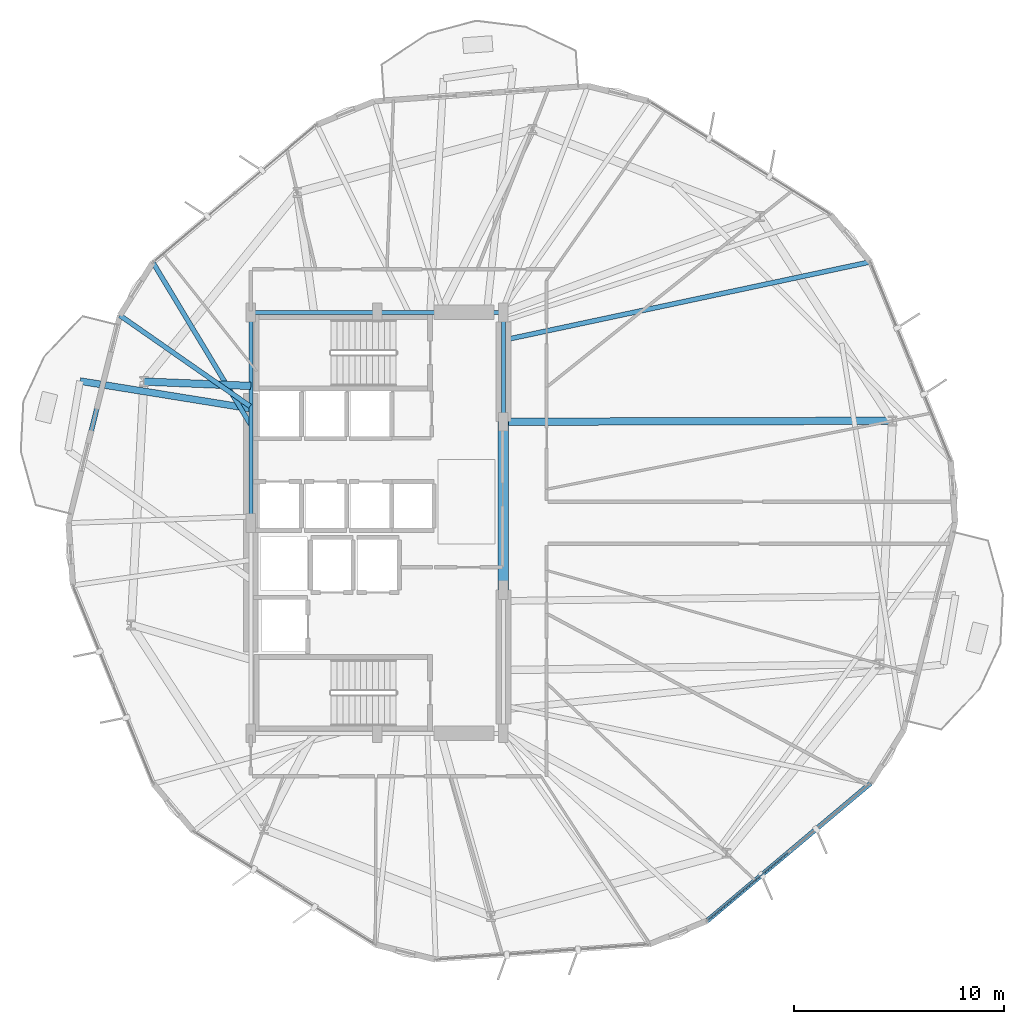
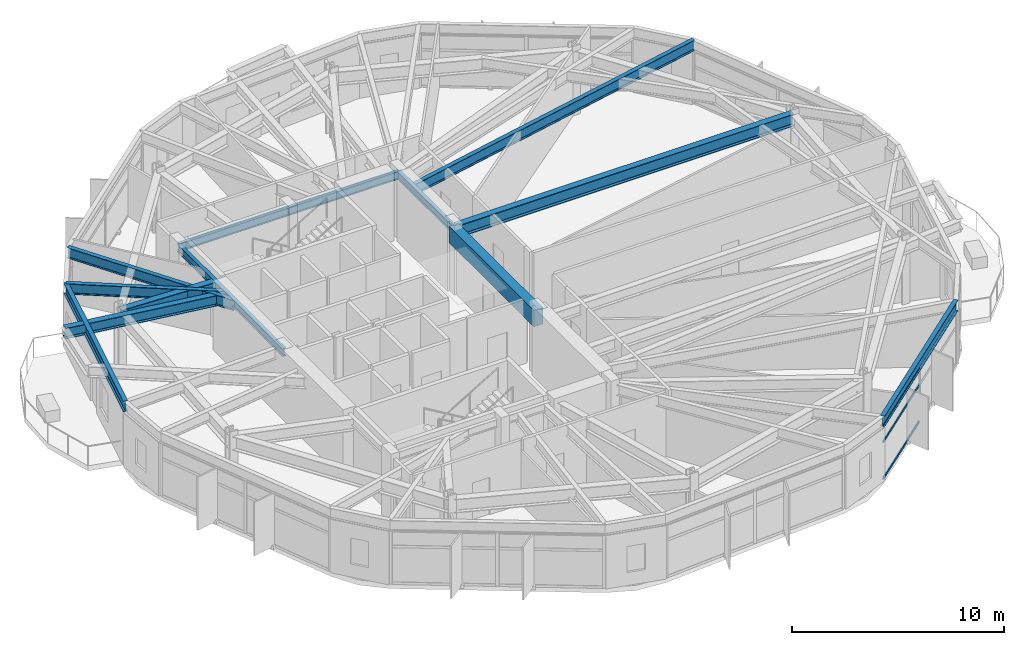
# One storey, part 8 of 22: 13 beams, 3 members, 1 element without a shape of its own.
"""IFC4 building model written with IfcOpenShell, lengths in metres."""

from ifc_helpers import new_model, si_unit, direction, frame, origin, origin_2d, place, context, subcontext, project, spatial, rectangle, hollow_rectangle, i_section, extrude, material, layer, layer_set, material_profile, profile_set, type_object, element, aggregate, save


model = new_model("IFC4")

# Units and contexts
model_context = context("Model", 3, precision=1e-05, world=origin(), true_north=direction((0.0, 1.0)))
body_context = subcontext(model_context, "Body", "Model", "MODEL_VIEW")
ifc_project = project(units=[si_unit("LENGTHUNIT", "METRE"), si_unit("AREAUNIT", "SQUARE_METRE"), si_unit("VOLUMEUNIT", "CUBIC_METRE"), si_unit("PLANEANGLEUNIT", "RADIAN"), si_unit("MASSUNIT", "GRAM", prefix="KILO")], contexts=[model_context])

# Site, building, storey
site_placement = place(None, origin())
site = spatial("IfcSite", under=ifc_project, at=site_placement, CompositionType="ELEMENT")
building_placement = place(site_placement, origin())
building = spatial("IfcBuilding", under=site, at=building_placement, Name="Soratama Intermodal Tower", CompositionType="ELEMENT")
storey_placement = place(building_placement, frame((0.0, 0.0, 42.60009765625)))
storey = spatial("IfcBuildingStorey", under=building, at=storey_placement, Name="L09", CompositionType="ELEMENT", Elevation=42.60009765625)

# Beams
ifc_material_1 = material(Name="Structural steel ASTM A992 Grade 50", Category="steel")
ifc_material_profile_1 = material_profile(ifc_material_1, i_section(OverallWidth=0.324951171875, OverallDepth=0.615966796875, WebThickness=0.013916015625, FlangeThickness=0.021484375, FilletRadius=0.013916015625, at=origin_2d()), Name="W24X117")
ifc_profile_set_1 = profile_set([ifc_material_profile_1], Name="Structural steel ASTM A992 Grade 50")
beam_type_1 = type_object("IfcBeamType", Name="BM-CANT-W24X117", PredefinedType="BEAM", material=ifc_profile_set_1)
beam_1_placement = place(storey_placement, frame((32.56103515625, 30.428955078125, 3.391845703125), z_axis=(-0.987221126323, 0.159356354571, 0.0), x_axis=(-0.159356354571, -0.987221126323, 0.0)))
element("IfcBeam", 1, at=beam_1_placement, inside=storey, type_object=beam_type_1, Name="BM-L09-CANT-3-1", PredefinedType="BEAM", context=body_context, shape_type="SweptSolid", body=[
    extrude(i_section(OverallWidth=0.324951171875, OverallDepth=0.615966796875, WebThickness=0.013916015625, FlangeThickness=0.021484375, FilletRadius=0.013916015625, at=origin_2d()), origin(), (0.0, 0.0, 1.0), 8.176513671875),
])
ifc_material_2 = material(Name="Concrete f'c 56 MPa", Category="concrete")
ifc_material_profile_2 = material_profile(ifc_material_2, rectangle(XDim=0.5, YDim=0.949951171875, at=origin_2d()), Name="RC500X950")
ifc_profile_set_2 = profile_set([ifc_material_profile_2], Name="Concrete f'c 56 MPa")
beam_type_2 = type_object("IfcBeamType", Name="BM-CPL-RC500X950", PredefinedType="BEAM", material=ifc_profile_set_2)
beam_2_placement = place(storey_placement, frame((44.60009765625, 21.800048828125, 3.224853515625), z_axis=(0.0, 1.0, 0.0), x_axis=(-1.0, 0.0, 0.0)))
element("IfcBeam", 2, at=beam_2_placement, inside=storey, type_object=beam_type_2, Name="L09 Core Coupling Beam East", PredefinedType="BEAM", context=body_context, shape_type="SweptSolid", body=[
    extrude(rectangle(XDim=0.5, YDim=0.949951171875, at=origin_2d()), origin(), (0.0, 0.0, 1.0), 8.0),
])
ifc_material_3 = material(Name="Structural steel ASTM A992 Grade 50", Category="steel")
ifc_material_profile_3 = material_profile(ifc_material_3, i_section(OverallWidth=0.19091796875, OverallDepth=0.4599609375, WebThickness=0.010009765625, FlangeThickness=0.01611328125, FilletRadius=0.010986328125, at=origin_2d()), Name="W18X55")
ifc_profile_set_3 = profile_set([ifc_material_profile_3], Name="Structural steel ASTM A992 Grade 50")
beam_type_3 = type_object("IfcBeamType", Name="BM-FLR-W18X55", PredefinedType="BEAM", material=ifc_profile_set_3)
beam_3_placement = place(storey_placement, frame((44.60009765625, 29.800048828125, 3.469970703125), z_axis=(0.0, 1.0, 0.0), x_axis=(-1.0, 0.0, 0.0)))
element("IfcBeam", 3, at=beam_3_placement, inside=storey, type_object=beam_type_3, Name="BM-L09-CRING-05", PredefinedType="BEAM", context=body_context, shape_type="SweptSolid", body=[
    extrude(i_section(OverallWidth=0.19091796875, OverallDepth=0.4599609375, WebThickness=0.010009765625, FlangeThickness=0.01611328125, FilletRadius=0.010986328125, at=origin_2d()), origin(), (0.0, 0.0, 1.0), 5.199951171875),
])
for number, where, z_axis, x_axis, name in (
    (4, (44.60009765625, 35.0, 3.469970703125), (-1.0, 0.0, 0.0), (0.0, -1.0, 0.0), "BM-L09-CRING-06"),
    (5, (38.60009765625, 35.0, 3.469970703125), (-1.0, 0.0, 0.0), (0.0, -1.0, 0.0), "BM-L09-CRING-07"),
):
    element("IfcBeam", number, at=place(storey_placement, frame(where, z_axis=z_axis, x_axis=x_axis)), inside=storey, type_object=beam_type_3, Name=name, PredefinedType="BEAM", context=body_context, shape_type="SweptSolid", body=[
        extrude(i_section(OverallWidth=0.19091796875, OverallDepth=0.4599609375, WebThickness=0.010009765625, FlangeThickness=0.01611328125, FilletRadius=0.010986328125, at=origin_2d()), origin(), (0.0, 0.0, 1.0), 6.0),
    ])
beam_4_placement = place(storey_placement, frame((32.60009765625, 35.0, 3.469970703125), z_axis=(0.0, -1.0, 0.0), x_axis=(1.0, 0.0, 0.0)))
element("IfcBeam", 6, at=beam_4_placement, inside=storey, type_object=beam_type_3, Name="BM-L09-CRING-08", PredefinedType="BEAM", context=body_context, shape_type="SweptSolid", body=[
    extrude(i_section(OverallWidth=0.19091796875, OverallDepth=0.4599609375, WebThickness=0.010009765625, FlangeThickness=0.01611328125, FilletRadius=0.010986328125, at=origin_2d()), origin(), (0.0, 0.0, 1.0), 10.0),
])
ifc_material_4 = material(Name="Structural steel ASTM A992 Grade 50", Category="steel")
ifc_material_profile_4 = material_profile(ifc_material_4, i_section(OverallWidth=0.35498046875, OverallDepth=0.695068359375, WebThickness=0.015380859375, FlangeThickness=0.02490234375, FilletRadius=0.01611328125, at=origin_2d()), Name="W27X146")
ifc_profile_set_4 = profile_set([ifc_material_profile_4], Name="Structural steel ASTM A992 Grade 50")
beam_type_4 = type_object("IfcBeamType", Name="BM-RING-W27X146", PredefinedType="BEAM", material=ifc_profile_set_4)
beam_5_placement = place(storey_placement, frame((44.60009765625, 29.800048828125, 3.352294921875), z_axis=(0.999997046146, 0.002430575896, 0.0), x_axis=(-0.002430575896, 0.999997046146, 0.0)))
element("IfcBeam", 7, at=beam_5_placement, inside=storey, type_object=beam_type_4, Name="BM-L09-RAD-01", PredefinedType="BEAM", context=body_context, shape_type="SweptSolid", body=[
    extrude(i_section(OverallWidth=0.35498046875, OverallDepth=0.695068359375, WebThickness=0.015380859375, FlangeThickness=0.02490234375, FilletRadius=0.01611328125, at=origin_2d()), origin(), (0.0, 0.0, 1.0), 18.48193359375),
])
beam_6_placement = place(storey_placement, frame((32.60009765625, 31.5, 3.352294921875), z_axis=(-0.999153929645, 0.041126936131, 0.0), x_axis=(-0.041126936131, -0.999153929645, 0.0)))
element("IfcBeam", 8, at=beam_6_placement, inside=storey, type_object=beam_type_4, Name="BM-L09-RAD-05", PredefinedType="BEAM", context=body_context, shape_type="SweptSolid", body=[
    extrude(i_section(OverallWidth=0.35498046875, OverallDepth=0.695068359375, WebThickness=0.015380859375, FlangeThickness=0.02490234375, FilletRadius=0.01611328125, at=origin_2d()), origin(), (0.0, 0.0, 1.0), 5.08154296875),
])
ifc_material_5 = material(Name="Structural steel ASTM A992 Grade 50", Category="steel")
ifc_material_profile_5 = material_profile(ifc_material_5, i_section(OverallWidth=0.22900390625, OverallDepth=0.612060546875, WebThickness=0.011962890625, FlangeThickness=0.01953125, FilletRadius=0.012939453125, at=origin_2d()), Name="W24X84")
ifc_profile_set_5 = profile_set([ifc_material_profile_5], Name="Structural steel ASTM A992 Grade 50")
beam_type_5 = type_object("IfcBeamType", Name="BM-SPN-W24X84", PredefinedType="SPANDREL", material=ifc_profile_set_5)
beam_7_placement = place(storey_placement, frame((26.3798828125, 34.85107421875, 3.393798828125), z_axis=(-0.240528792374, -0.970642004057, 0.0), x_axis=(0.970642004057, -0.240528792374, 0.0)))
element("IfcBeam", 9, at=beam_7_placement, inside=storey, type_object=beam_type_5, Name="BS-L09-F05", PredefinedType="SPANDREL", context=body_context, shape_type="SweptSolid", body=[
    extrude(i_section(OverallWidth=0.22900390625, OverallDepth=0.612060546875, WebThickness=0.011962890625, FlangeThickness=0.01953125, FilletRadius=0.012939453125, at=origin_2d()), origin(), (0.0, 0.0, 1.0), 10.164306640625),
])
beam_8_placement = place(storey_placement, frame((54.27294921875, 6.0859375, 3.393798828125), z_axis=(0.765143451137, 0.643859844362, 0.0), x_axis=(-0.643859844362, 0.765143451137, 0.0)))
element("IfcBeam", 10, at=beam_8_placement, inside=storey, type_object=beam_type_5, Name="BS-L09-F09", PredefinedType="SPANDREL", context=body_context, shape_type="SweptSolid", body=[
    extrude(i_section(OverallWidth=0.22900390625, OverallDepth=0.612060546875, WebThickness=0.011962890625, FlangeThickness=0.01953125, FilletRadius=0.012939453125, at=origin_2d()), origin(), (0.0, 0.0, 1.0), 10.16552734375),
])
ifc_material_6 = material(Name="Structural steel ASTM A992 Grade 50", Category="steel")
ifc_material_profile_6 = material_profile(ifc_material_6, i_section(OverallWidth=0.22900390625, OverallDepth=0.612060546875, WebThickness=0.011962890625, FlangeThickness=0.01953125, FilletRadius=0.012939453125, at=origin_2d()), Name="W24X84")
ifc_profile_set_6 = profile_set([ifc_material_profile_6], Name="Structural steel ASTM A992 Grade 50")
beam_type_6 = type_object("IfcBeamType", Name="BM-TIE-W24X84", PredefinedType="BEAM", material=ifc_profile_set_6)
beam_9_placement = place(storey_placement, frame((44.638916015625, 33.68408203125, 3.393798828125), z_axis=(0.978001649285, 0.208597157209, 0.0), x_axis=(-0.208597157209, 0.978001649285, 0.0)))
element("IfcBeam", 11, at=beam_9_placement, inside=storey, type_object=beam_type_6, Name="BM-L09-TIE1-01", PredefinedType="BEAM", context=body_context, shape_type="SweptSolid", body=[
    extrude(i_section(OverallWidth=0.22900390625, OverallDepth=0.612060546875, WebThickness=0.011962890625, FlangeThickness=0.01953125, FilletRadius=0.012939453125, at=origin_2d()), origin(), (0.0, 0.0, 1.0), 17.785400390625),
])
beam_10_placement = place(storey_placement, frame((32.5791015625, 29.676025390625, 3.393798828125), z_axis=(-0.515674872585, 0.856784351972, 0.0), x_axis=(-0.856784351972, -0.515674872585, 0.0)))
element("IfcBeam", 12, at=beam_10_placement, inside=storey, type_object=beam_type_6, Name="BM-L09-TIE1-04", PredefinedType="BEAM", context=body_context, shape_type="SweptSolid", body=[
    extrude(i_section(OverallWidth=0.22900390625, OverallDepth=0.612060546875, WebThickness=0.011962890625, FlangeThickness=0.01953125, FilletRadius=0.012939453125, at=origin_2d()), origin(), (0.0, 0.0, 1.0), 8.978759765625),
])
beam_11_placement = place(storey_placement, frame((32.56689453125, 30.5380859375, 3.393798828125), z_axis=(-0.820346625878, 0.57186660456, 0.0), x_axis=(-0.57186660456, -0.820346625878, 0.0)))
element("IfcBeam", 13, at=beam_11_placement, inside=storey, type_object=beam_type_6, Name="BM-L09-TIE0-05", PredefinedType="BEAM", context=body_context, shape_type="SweptSolid", body=[
    extrude(i_section(OverallWidth=0.22900390625, OverallDepth=0.612060546875, WebThickness=0.011962890625, FlangeThickness=0.01953125, FilletRadius=0.012939453125, at=origin_2d()), origin(), (0.0, 0.0, 1.0), 7.5419921875),
])

# Curtain wall, members
ifc_material_7 = material(Name="Double-glazed aluminium curtain wall", Category="aluminium")
ifc_layer = layer(ifc_material_7, 0.159912109375)
ifc_layer_set = layer_set([ifc_layer], Name="Double-glazed aluminium curtain wall")
curtain_wall_type = type_object("IfcCurtainWallType", Name="CW-SYS-2", PredefinedType="NOTDEFINED", material=ifc_layer_set)
curtain_wall_placement = place(storey_placement, origin())
curtain_wall = element("IfcCurtainWall", 14, at=curtain_wall_placement, inside=storey, type_object=curtain_wall_type, Name="L09 Faceted Curtain Wall F09", PredefinedType="NOTDEFINED")
ifc_material_8 = material(Name="Anodised aluminium AA 6063-T6", Category="aluminium")
ifc_material_profile_7 = material_profile(ifc_material_8, hollow_rectangle(XDim=0.06494140625, YDim=0.14990234375, WallThickness=0.0048828125, InnerFilletRadius=0.0048828125, OuterFilletRadius=0.010009765625, at=origin_2d()), Name="CWT150X65X5")
ifc_profile_set_7 = profile_set([ifc_material_profile_7], Name="Anodised aluminium AA 6063-T6")
member_type = type_object("IfcMemberType", Name="TT-CWT-1", PredefinedType="USERDEFINED", material=ifc_profile_set_7)
member_1_placement = place(storey_placement, frame((54.319091796875, 6.12451171875, 0.02978515625), z_axis=(0.765138135341, 0.643866161439, 0.0), x_axis=(-0.643866161439, 0.765138135341, 0.0)))
member_1 = element("IfcMember", 15, at=member_1_placement, type_object=member_type, Name="CW-2 transom 1.1", ObjectType="TRANSOM", PredefinedType="USERDEFINED", context=body_context, shape_type="SweptSolid", body=[
    extrude(hollow_rectangle(XDim=0.06494140625, YDim=0.14990234375, WallThickness=0.0048828125, InnerFilletRadius=0.0048828125, OuterFilletRadius=0.010009765625, at=origin_2d()), origin(), (0.0, 0.0, 1.0), 4.99267578125),
])
member_2_placement = place(storey_placement, frame((54.319091796875, 6.12451171875, 2.14990234375), z_axis=(0.765138135341, 0.643866161439, 0.0), x_axis=(-0.643866161439, 0.765138135341, 0.0)))
member_2 = element("IfcMember", 16, at=member_2_placement, type_object=member_type, Name="CW-2 transom 1.2", ObjectType="TRANSOM", PredefinedType="USERDEFINED", context=body_context, shape_type="SweptSolid", body=[
    extrude(hollow_rectangle(XDim=0.06494140625, YDim=0.14990234375, WallThickness=0.0048828125, InnerFilletRadius=0.0048828125, OuterFilletRadius=0.010009765625, at=origin_2d()), origin(), (0.0, 0.0, 1.0), 4.99267578125),
])
member_3_placement = place(storey_placement, frame((54.319091796875, 6.12451171875, 3.048828125), z_axis=(0.765138135341, 0.643866161439, 0.0), x_axis=(-0.643866161439, 0.765138135341, 0.0)))
member_3 = element("IfcMember", 17, at=member_3_placement, type_object=member_type, Name="CW-2 transom 1.3", ObjectType="TRANSOM", PredefinedType="USERDEFINED", context=body_context, shape_type="SweptSolid", body=[
    extrude(hollow_rectangle(XDim=0.06494140625, YDim=0.14990234375, WallThickness=0.0048828125, InnerFilletRadius=0.0048828125, OuterFilletRadius=0.010009765625, at=origin_2d()), origin(), (0.0, 0.0, 1.0), 4.99267578125),
])
aggregate(curtain_wall, [member_1, member_2, member_3])

save(model, "model.ifc")
